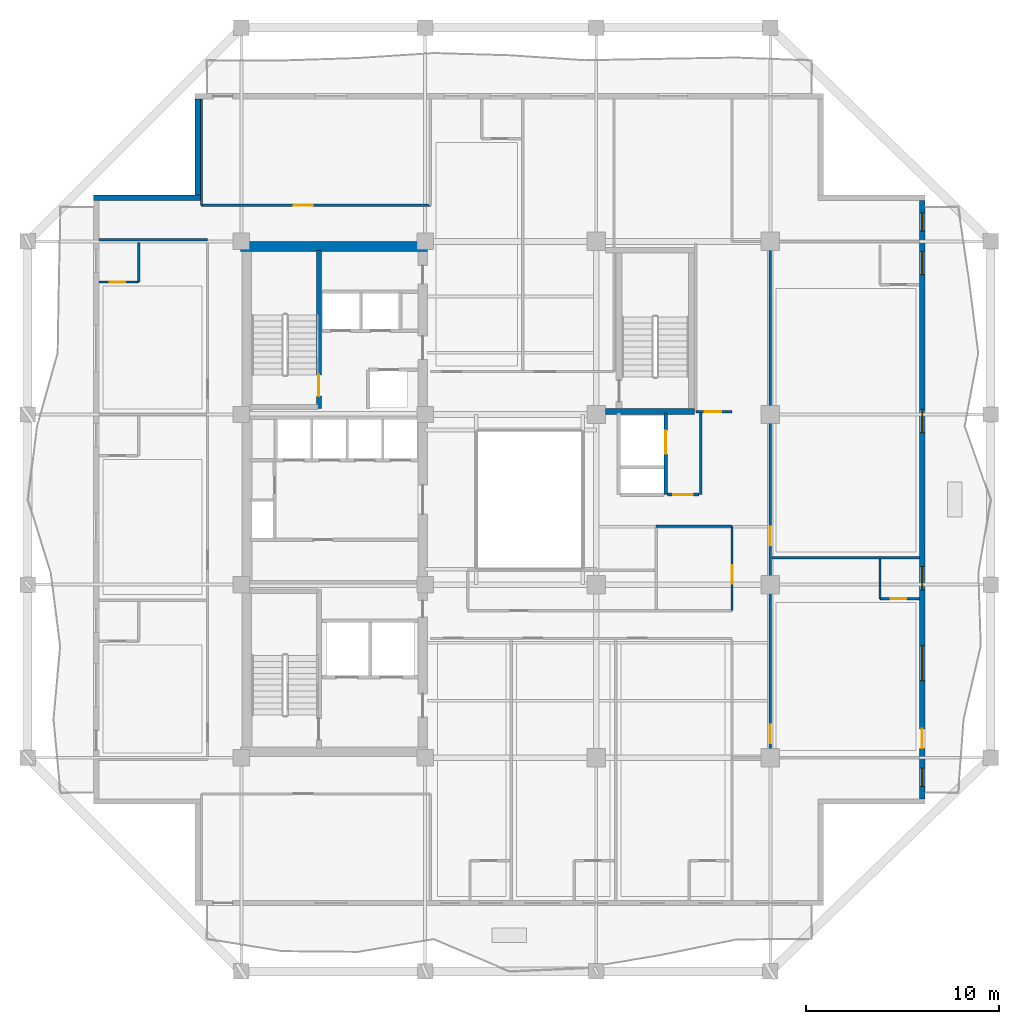
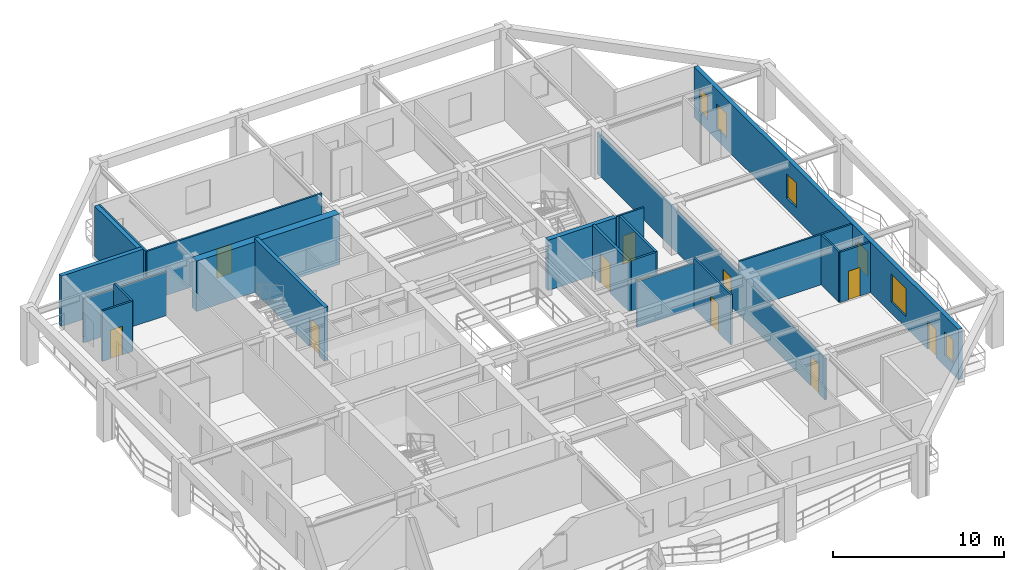
# One storey, part 5 of 12: 21 walls, 11 doors, 6 windows, 17 openings.
"""IFC4 building model written with IfcOpenShell, lengths in metres."""

from ifc_helpers import new_model, si_unit, direction, frame, frame_2d, origin, place, context, subcontext, project, spatial, rectangle, extrude, material, layer, layer_set, type_object, element, fill, save


model = new_model("IFC4")

# Units and contexts
model_context = context("Model", 3, precision=1e-05, world=origin(), true_north=direction((0.0, 1.0)))
body_context = subcontext(model_context, "Body", "Model", "MODEL_VIEW")
ifc_project = project(units=[si_unit("LENGTHUNIT", "METRE"), si_unit("AREAUNIT", "SQUARE_METRE"), si_unit("VOLUMEUNIT", "CUBIC_METRE"), si_unit("PLANEANGLEUNIT", "RADIAN"), si_unit("MASSUNIT", "GRAM", prefix="KILO")], contexts=[model_context])

# Site, building, storey
site_placement = place(None, origin())
site = spatial("IfcSite", under=ifc_project, at=site_placement, CompositionType="ELEMENT")
building_placement = place(site_placement, origin())
building = spatial("IfcBuilding", under=site, at=building_placement, Name="Kundavana Baori Tower", CompositionType="ELEMENT")
storey_placement = place(building_placement, frame((0.0, 0.0, 173.300048828125)))
storey = spatial("IfcBuildingStorey", under=building, at=storey_placement, Name="L42", CompositionType="ELEMENT", Elevation=173.300048828125)

# Wall, opening, door
ifc_material_1 = material(Name="Concrete C50/60", Category="concrete")
ifc_layer_1 = layer(ifc_material_1, 0.39990234375, Name="WL-CORE-400")
ifc_layer_set_1 = layer_set([ifc_layer_1], Name="Concrete C50/60")
wall_type_1 = type_object("IfcWallType", Name="WL-CORE-400", PredefinedType="SHEAR", material=ifc_layer_set_1)
wall_1_placement = place(storey_placement, frame((19.4599609375, 33.300048828125, 0.0), z_axis=(0.0, 0.0, 1.0), x_axis=(0.0, 1.0, 0.0)))
wall_1 = element("IfcWall", 1, at=wall_1_placement, inside=storey, type_object=wall_type_1, Name="WL-L42-ST2-E", PredefinedType="SHEAR", context=body_context, shape_type="SweptSolid", body=[
    extrude(rectangle(XDim=8.179931640625, YDim=0.239990234375, at=frame_2d((4.08984375, 0.0))), origin(), (0.0, 0.0, 1.0), 3.849853515625),
])
opening_1_placement = place(wall_1_placement, frame((0.64990234375, 0.0, 0.0)))
opening_1 = element("IfcOpeningElement", 2, at=opening_1_placement, cuts=wall_1, Name="Opening FD-110", PredefinedType="OPENING", context=body_context, shape_type="SweptSolid", body=[
    extrude(rectangle(XDim=1.10009765625, YDim=2.10009765625, at=frame_2d((0.550048828125, 1.050048828125))), frame((0.0, 0.1298828125, 0.0), z_axis=(0.0, -1.0, 0.0), x_axis=(1.0, 0.0, 0.0)), (0.0, 0.0, 1.0), 0.260009765625),
])
ifc_material_2 = material(Name="Galvanised Steel Fire-Rated Door Leaf", Category="steel")
door_type_1 = type_object("IfcDoorType", Name="DR-FD120-1100", OperationType="NOTDEFINED", PredefinedType="DOOR", material=ifc_material_2)
door_1_placement = place(opening_1_placement, origin())
door_1 = element("IfcDoor", 3, at=door_1_placement, inside=storey, type_object=door_type_1, Name="DR-L42-ST2", OperationType="SINGLE_SWING_RIGHT", OverallHeight=2.10009765625, OverallWidth=1.10009765625, PredefinedType="DOOR", context=body_context, shape_type="SweptSolid", body=[
    extrude(rectangle(XDim=1.10009765625, YDim=2.10009765625, at=frame_2d((0.550048828125, 1.050048828125))), frame((0.0, 0.02490234375, 0.0), z_axis=(0.0, -1.0, 0.0), x_axis=(1.0, 0.0, 0.0)), (0.0, 0.0, 1.0), 0.050048828125),
])
fill(opening_1, door_1)

# Wall
ifc_material_3 = material(Name="Concrete C50/60", Category="concrete")
ifc_layer_2 = layer(ifc_material_3, 0.5, Name="WL-CORE-500")
ifc_layer_set_2 = layer_set([ifc_layer_2], Name="Concrete C50/60")
wall_type_2 = type_object("IfcWallType", Name="WL-CORE-500", PredefinedType="SHEAR", material=ifc_layer_set_2)
wall_2_placement = place(storey_placement, frame((15.39990234375, 41.68994140625, 0.0), z_axis=(0.0, 0.0, 1.0), x_axis=(1.0, 0.0, 0.0)))
element("IfcWall", 4, at=wall_2_placement, inside=storey, type_object=wall_type_2, Name="L42 Offset Core North Shear Wall", PredefinedType="SHEAR", context=body_context, shape_type="SweptSolid", body=[
    extrude(rectangle(XDim=9.68017578125, YDim=0.5, at=frame_2d((4.840087890625, 0.0))), origin(), (0.0, 0.0, 1.0), 3.599853515625),
])

# Wall, openings, door, windows
ifc_material_4 = material(Name="Red-Buff Dholpur Sandstone Cladding on Concrete C40/50", Category="masonry")
ifc_layer_3 = layer(ifc_material_4, 0.280029296875, Name="WL-EXT-SAND-280")
ifc_layer_set_3 = layer_set([ifc_layer_3], Name="Red-Buff Dholpur Sandstone Cladding on Concrete C40/50")
wall_type_3 = type_object("IfcWallType", Name="WL-EXT-SAND-280", PredefinedType="STANDARD", material=ifc_layer_set_3)
wall_3_placement = place(storey_placement, frame((50.659912109375, 13.1298828125, 0.0), z_axis=(0.0, 0.0, 1.0), x_axis=(0.0, 1.0, 0.0)))
wall_3 = element("IfcWall", 5, at=wall_3_placement, inside=storey, type_object=wall_type_3, Name="L42 Exterior Insulated Facade Wall 04", PredefinedType="STANDARD", context=body_context, shape_type="SweptSolid", body=[
    extrude(rectangle(XDim=30.940185546875, YDim=0.280029296875, at=frame_2d((15.47021484375, 0.0))), origin(), (0.0, 0.0, 1.0), 3.599853515625),
])
opening_2_placement = place(wall_3_placement, frame((0.639892578125, 0.0, 0.800048828125)))
opening_2 = element("IfcOpeningElement", 6, at=opening_2_placement, cuts=wall_3, Name="Opening W-13", PredefinedType="OPENING", context=body_context, shape_type="SweptSolid", body=[
    extrude(rectangle(XDim=0.949951171875, YDim=1.64990234375, at=frame_2d((0.47509765625, 0.824951171875))), frame((0.0, 0.14990234375, 0.0), z_axis=(0.0, -1.0, 0.0), x_axis=(1.0, 0.0, 0.0)), (0.0, 0.0, 1.0), 0.300048828125),
])
opening_3_placement = place(wall_3_placement, frame((2.610107421875, 0.0, 0.0)))
opening_3 = element("IfcOpeningElement", 7, at=opening_3_placement, cuts=wall_3, Name="Opening BD-1", PredefinedType="OPENING", context=body_context, shape_type="SweptSolid", body=[
    extrude(rectangle(XDim=1.0, YDim=2.050048828125, at=frame_2d((0.5, 1.02490234375))), frame((0.0, 0.14990234375, 0.0), z_axis=(0.0, -1.0, 0.0), x_axis=(1.0, 0.0, 0.0)), (0.0, 0.0, 1.0), 0.300048828125),
])
opening_4_placement = place(wall_3_placement, frame((6.10498046875, 0.0, 0.800048828125)))
opening_4 = element("IfcOpeningElement", 8, at=opening_4_placement, cuts=wall_3, Name="Opening W-01", PredefinedType="OPENING", context=body_context, shape_type="SweptSolid", body=[
    extrude(rectangle(XDim=1.800048828125, YDim=2.0, at=frame_2d((0.89990234375, 1.0))), frame((0.0, 0.14990234375, 0.0), z_axis=(0.0, -1.0, 0.0), x_axis=(1.0, 0.0, 0.0)), (0.0, 0.0, 1.0), 0.300048828125),
])
opening_5_placement = place(wall_3_placement, frame((10.804931640625, 0.0, 0.800048828125)))
opening_5 = element("IfcOpeningElement", 9, at=opening_5_placement, cuts=wall_3, Name="Opening W-03", PredefinedType="OPENING", context=body_context, shape_type="SweptSolid", body=[
    extrude(rectangle(XDim=1.199951171875, YDim=1.75, at=frame_2d((0.60009765625, 0.875))), frame((0.0, 0.14990234375, 0.0), z_axis=(0.0, -1.0, 0.0), x_axis=(1.0, 0.0, 0.0)), (0.0, 0.0, 1.0), 0.300048828125),
])
opening_6_placement = place(wall_3_placement, frame((18.929931640625, 0.0, 0.800048828125)))
opening_6 = element("IfcOpeningElement", 10, at=opening_6_placement, cuts=wall_3, Name="Opening W-03", PredefinedType="OPENING", context=body_context, shape_type="SweptSolid", body=[
    extrude(rectangle(XDim=1.199951171875, YDim=1.75, at=frame_2d((0.60009765625, 0.875))), frame((0.0, 0.14990234375, 0.0), z_axis=(0.0, -1.0, 0.0), x_axis=(1.0, 0.0, 0.0)), (0.0, 0.0, 1.0), 0.300048828125),
])
opening_7_placement = place(wall_3_placement, frame((27.10498046875, 0.0, 0.800048828125)))
opening_7 = element("IfcOpeningElement", 11, at=opening_7_placement, cuts=wall_3, Name="Opening W-03", PredefinedType="OPENING", context=body_context, shape_type="SweptSolid", body=[
    extrude(rectangle(XDim=1.199951171875, YDim=1.75, at=frame_2d((0.60009765625, 0.875))), frame((0.0, 0.14990234375, 0.0), z_axis=(0.0, -1.0, 0.0), x_axis=(1.0, 0.0, 0.0)), (0.0, 0.0, 1.0), 0.300048828125),
])
opening_8_placement = place(wall_3_placement, frame((29.35009765625, 0.0, 0.800048828125)))
opening_8 = element("IfcOpeningElement", 12, at=opening_8_placement, cuts=wall_3, Name="Opening W-13", PredefinedType="OPENING", context=body_context, shape_type="SweptSolid", body=[
    extrude(rectangle(XDim=0.949951171875, YDim=1.64990234375, at=frame_2d((0.47509765625, 0.824951171875))), frame((0.0, 0.14990234375, 0.0), z_axis=(0.0, -1.0, 0.0), x_axis=(1.0, 0.0, 0.0)), (0.0, 0.0, 1.0), 0.300048828125),
])
ifc_material_5 = material(Name="Architectural Patinated Bronze Metalwork")
door_type_2 = type_object("IfcDoorType", Name="DR-EXT-LOG-1000", OperationType="NOTDEFINED", PredefinedType="DOOR", material=ifc_material_5)
door_2_placement = place(opening_3_placement, frame((1.0, 0.0, 0.0), z_axis=(0.0, 0.0, 1.0), x_axis=(-1.0, 0.0, 0.0)))
door_2 = element("IfcDoor", 13, at=door_2_placement, inside=storey, type_object=door_type_2, Name="L42 Loggia Balcony Access Door E", OperationType="SINGLE_SWING_LEFT", OverallHeight=2.050048828125, OverallWidth=1.0, PredefinedType="DOOR", context=body_context, shape_type="SweptSolid", body=[
    extrude(rectangle(XDim=1.0, YDim=2.050048828125, at=frame_2d((0.5, 1.02490234375))), frame((0.0, 0.02490234375, 0.0), z_axis=(0.0, -1.0, 0.0), x_axis=(1.0, 0.0, 0.0)), (0.0, 0.0, 1.0), 0.050048828125),
])
fill(opening_3, door_2)
ifc_material_6 = material(Name="Double-Glazed Solar-Control Low-E Insulated Glass", Category="glass")
window_type_1 = type_object("IfcWindowType", Name="WIN-LOG-1200x1750", PartitioningType="SINGLE_PANEL", PredefinedType="WINDOW", material=ifc_material_6)
window_1_placement = place(opening_5_placement, origin())
window_1 = element("IfcWindow", 14, at=window_1_placement, inside=storey, type_object=window_type_1, Name="L42 Recessed Loggia Window E-3", OverallHeight=1.75, OverallWidth=1.199951171875, PartitioningType="SINGLE_PANEL", PredefinedType="WINDOW", context=body_context, shape_type="SweptSolid", body=[
    extrude(rectangle(XDim=1.199951171875, YDim=1.75, at=frame_2d((0.60009765625, 0.875))), frame((0.0, 0.030029296875, 0.0), z_axis=(0.0, -1.0, 0.0), x_axis=(1.0, 0.0, 0.0)), (0.0, 0.0, 1.0), 0.06005859375),
])
fill(opening_5, window_1)
window_2_placement = place(opening_6_placement, origin())
window_2 = element("IfcWindow", 15, at=window_2_placement, inside=storey, type_object=window_type_1, Name="L42 Recessed Loggia Window E-4", OverallHeight=1.75, OverallWidth=1.199951171875, PartitioningType="SINGLE_PANEL", PredefinedType="WINDOW", context=body_context, shape_type="SweptSolid", body=[
    extrude(rectangle(XDim=1.199951171875, YDim=1.75, at=frame_2d((0.60009765625, 0.875))), frame((0.0, 0.030029296875, 0.0), z_axis=(0.0, -1.0, 0.0), x_axis=(1.0, 0.0, 0.0)), (0.0, 0.0, 1.0), 0.06005859375),
])
fill(opening_6, window_2)
window_3_placement = place(opening_7_placement, origin())
window_3 = element("IfcWindow", 16, at=window_3_placement, inside=storey, type_object=window_type_1, Name="L42 Recessed Loggia Window E-5", OverallHeight=1.75, OverallWidth=1.199951171875, PartitioningType="SINGLE_PANEL", PredefinedType="WINDOW", context=body_context, shape_type="SweptSolid", body=[
    extrude(rectangle(XDim=1.199951171875, YDim=1.75, at=frame_2d((0.60009765625, 0.875))), frame((0.0, 0.030029296875, 0.0), z_axis=(0.0, -1.0, 0.0), x_axis=(1.0, 0.0, 0.0)), (0.0, 0.0, 1.0), 0.06005859375),
])
fill(opening_7, window_3)
ifc_material_7 = material(Name="Double-Glazed Solar-Control Low-E Insulated Glass", Category="glass")
window_type_2 = type_object("IfcWindowType", Name="WIN-LOG-1800x2000", PartitioningType="SINGLE_PANEL", PredefinedType="WINDOW", material=ifc_material_7)
window_4_placement = place(opening_4_placement, origin())
window_4 = element("IfcWindow", 17, at=window_4_placement, inside=storey, type_object=window_type_2, Name="L42 Recessed Loggia Window E-2", OverallHeight=2.0, OverallWidth=1.800048828125, PartitioningType="SINGLE_PANEL", PredefinedType="WINDOW", context=body_context, shape_type="SweptSolid", body=[
    extrude(rectangle(XDim=1.800048828125, YDim=2.0, at=frame_2d((0.89990234375, 1.0))), frame((0.0, 0.030029296875, 0.0), z_axis=(0.0, -1.0, 0.0), x_axis=(1.0, 0.0, 0.0)), (0.0, 0.0, 1.0), 0.06005859375),
])
fill(opening_4, window_4)
ifc_material_8 = material(Name="Double-Glazed Solar-Control Low-E Insulated Glass", Category="glass")
window_type_3 = type_object("IfcWindowType", Name="WIN-LOG-950x1650", PartitioningType="SINGLE_PANEL", PredefinedType="WINDOW", material=ifc_material_8)
window_5_placement = place(opening_2_placement, origin())
window_5 = element("IfcWindow", 18, at=window_5_placement, inside=storey, type_object=window_type_3, Name="L42 Recessed Loggia Window E-1", OverallHeight=1.64990234375, OverallWidth=0.949951171875, PartitioningType="SINGLE_PANEL", PredefinedType="WINDOW", context=body_context, shape_type="SweptSolid", body=[
    extrude(rectangle(XDim=0.949951171875, YDim=1.64990234375, at=frame_2d((0.47509765625, 0.824951171875))), frame((0.0, 0.030029296875, 0.0), z_axis=(0.0, -1.0, 0.0), x_axis=(1.0, 0.0, 0.0)), (0.0, 0.0, 1.0), 0.06005859375),
])
fill(opening_2, window_5)
window_6_placement = place(opening_8_placement, origin())
window_6 = element("IfcWindow", 19, at=window_6_placement, inside=storey, type_object=window_type_3, Name="L42 Recessed Loggia Window E-6", OverallHeight=1.64990234375, OverallWidth=0.949951171875, PartitioningType="SINGLE_PANEL", PredefinedType="WINDOW", context=body_context, shape_type="SweptSolid", body=[
    extrude(rectangle(XDim=0.949951171875, YDim=1.64990234375, at=frame_2d((0.47509765625, 0.824951171875))), frame((0.0, 0.030029296875, 0.0), z_axis=(0.0, -1.0, 0.0), x_axis=(1.0, 0.0, 0.0)), (0.0, 0.0, 1.0), 0.06005859375),
])
fill(opening_8, window_6)

# Walls
wall_4_placement = place(storey_placement, frame((13.18994140625, 49.320068359375, 0.0), z_axis=(0.0, 0.0, 1.0), x_axis=(0.0, -1.0, 0.0)))
element("IfcWall", 20, at=wall_4_placement, inside=storey, type_object=wall_type_3, Name="L42 Exterior Insulated Facade Wall 08", PredefinedType="STANDARD", context=body_context, shape_type="SweptSolid", body=[
    extrude(rectangle(XDim=4.969970703125, YDim=0.280029296875, at=frame_2d((2.48486328125, 0.0))), origin(), (0.0, 0.0, 1.0), 3.599853515625),
])
wall_5_placement = place(storey_placement, frame((13.330078125, 44.2099609375, 0.0), z_axis=(0.0, 0.0, 1.0), x_axis=(-1.0, 0.0, 0.0)))
element("IfcWall", 21, at=wall_5_placement, inside=storey, type_object=wall_type_3, Name="L42 Exterior Insulated Facade Wall 09", PredefinedType="STANDARD", context=body_context, shape_type="SweptSolid", body=[
    extrude(rectangle(XDim=5.530029296875, YDim=0.280029296875, at=frame_2d((2.76513671875, 0.0))), origin(), (0.0, 0.0, 1.0), 3.599853515625),
])

# Wall, openings, doors
ifc_material_9 = material(Name="Acoustic Gypsum Plasterboard on Galvanised Steel Studs", Category="steel")
ifc_layer_4 = layer(ifc_material_9, 0.1201171875, Name="WL-PART-120")
ifc_layer_set_4 = layer_set([ifc_layer_4], Name="Acoustic Gypsum Plasterboard on Galvanised Steel Studs")
wall_type_4 = type_object("IfcWallType", Name="WL-PART-120", PredefinedType="PARTITIONING", material=ifc_layer_set_4)
wall_6_placement = place(storey_placement, frame((42.800048828125, 15.25, 0.0), z_axis=(0.0, 0.0, 1.0), x_axis=(0.0, 1.0, 0.0)))
wall_6 = element("IfcWall", 22, at=wall_6_placement, inside=storey, type_object=wall_type_4, Name="WL-L42-HE", PredefinedType="PARTITIONING", context=body_context, shape_type="SweptSolid", body=[
    extrude(rectangle(XDim=26.699951171875, YDim=0.1201171875, at=frame_2d((13.35009765625, 0.0))), origin(), (0.0, 0.0, 1.0), 2.949951171875),
])
opening_9_placement = place(wall_6_placement, frame((0.75, 0.0, 0.0)))
opening_9 = element("IfcOpeningElement", 23, at=opening_9_placement, cuts=wall_6, Name="Opening FD-095", PredefinedType="OPENING", context=body_context, shape_type="SweptSolid", body=[
    extrude(rectangle(XDim=0.949951171875, YDim=2.10009765625, at=frame_2d((0.47509765625, 1.050048828125))), frame((0.0, 0.070068359375, 0.0), z_axis=(0.0, -1.0, 0.0), x_axis=(1.0, 0.0, 0.0)), (0.0, 0.0, 1.0), 0.14013671875),
])
opening_10_placement = place(wall_6_placement, frame((11.0, 0.0, 0.0)))
opening_10 = element("IfcOpeningElement", 24, at=opening_10_placement, cuts=wall_6, Name="Opening FD-095", PredefinedType="OPENING", context=body_context, shape_type="SweptSolid", body=[
    extrude(rectangle(XDim=0.949951171875, YDim=2.10009765625, at=frame_2d((0.47509765625, 1.050048828125))), frame((0.0, 0.070068359375, 0.0), z_axis=(0.0, -1.0, 0.0), x_axis=(1.0, 0.0, 0.0)), (0.0, 0.0, 1.0), 0.14013671875),
])
ifc_material_10 = material(Name="Engineered Teak Fire-Rated Timber Door Leaf", Category="wood")
door_type_3 = type_object("IfcDoorType", Name="DR-FD60-950", OperationType="NOTDEFINED", PredefinedType="DOOR", material=ifc_material_10)
door_3_placement = place(opening_9_placement, origin())
door_3 = element("IfcDoor", 25, at=door_3_placement, inside=storey, type_object=door_type_3, Name="DR-L42-HK-E1-ENT", OperationType="SINGLE_SWING_LEFT", OverallHeight=2.10009765625, OverallWidth=0.949951171875, PredefinedType="DOOR", context=body_context, shape_type="SweptSolid", body=[
    extrude(rectangle(XDim=0.949951171875, YDim=2.10009765625, at=frame_2d((0.47509765625, 1.050048828125))), frame((0.0, 0.02490234375, 0.0), z_axis=(0.0, -1.0, 0.0), x_axis=(1.0, 0.0, 0.0)), (0.0, 0.0, 1.0), 0.050048828125),
])
fill(opening_9, door_3)
door_4_placement = place(opening_10_placement, origin())
door_4 = element("IfcDoor", 26, at=door_4_placement, inside=storey, type_object=door_type_3, Name="DR-L42-HK-E2-ENT", OperationType="SINGLE_SWING_LEFT", OverallHeight=2.10009765625, OverallWidth=0.949951171875, PredefinedType="DOOR", context=body_context, shape_type="SweptSolid", body=[
    extrude(rectangle(XDim=0.949951171875, YDim=2.10009765625, at=frame_2d((0.47509765625, 1.050048828125))), frame((0.0, 0.02490234375, 0.0), z_axis=(0.0, -1.0, 0.0), x_axis=(1.0, 0.0, 0.0)), (0.0, 0.0, 1.0), 0.050048828125),
])
fill(opening_10, door_4)

# Wall, opening, door
wall_7_placement = place(storey_placement, frame((40.820068359375, 22.860107421875, 0.0), z_axis=(0.0, 0.0, 1.0), x_axis=(0.0, 1.0, 0.0)))
wall_7 = element("IfcWall", 27, at=wall_7_placement, inside=storey, type_object=wall_type_4, Name="WL-L42-HEW", PredefinedType="PARTITIONING", context=body_context, shape_type="SweptSolid", body=[
    extrude(rectangle(XDim=4.35986328125, YDim=0.1201171875, at=frame_2d((2.179931640625, 0.0))), origin(), (0.0, 0.0, 1.0), 3.599853515625),
])
opening_11_placement = place(wall_7_placement, frame((1.39990234375, 0.0, 0.0)))
opening_11 = element("IfcOpeningElement", 28, at=opening_11_placement, cuts=wall_7, Name="Opening FD-095", PredefinedType="OPENING", context=body_context, shape_type="SweptSolid", body=[
    extrude(rectangle(XDim=0.949951171875, YDim=2.10009765625, at=frame_2d((0.47509765625, 1.050048828125))), frame((0.0, 0.070068359375, 0.0), z_axis=(0.0, -1.0, 0.0), x_axis=(1.0, 0.0, 0.0)), (0.0, 0.0, 1.0), 0.14013671875),
])
door_5_placement = place(opening_11_placement, frame((0.949951171875, 0.0, 0.0), z_axis=(0.0, 0.0, 1.0), x_axis=(-1.0, 0.0, 0.0)))
door_5 = element("IfcDoor", 29, at=door_5_placement, inside=storey, type_object=door_type_3, Name="DR-L42-HSK", OperationType="SINGLE_SWING_RIGHT", OverallHeight=2.10009765625, OverallWidth=0.949951171875, PredefinedType="DOOR", context=body_context, shape_type="SweptSolid", body=[
    extrude(rectangle(XDim=0.949951171875, YDim=2.10009765625, at=frame_2d((0.47509765625, 1.050048828125))), frame((0.0, 0.02490234375, 0.0), z_axis=(0.0, -1.0, 0.0), x_axis=(1.0, 0.0, 0.0)), (0.0, 0.0, 1.0), 0.050048828125),
])
fill(opening_11, door_5)

# Wall
wall_8_placement = place(storey_placement, frame((8.080078125, 42.0400390625, 0.0), z_axis=(0.0, 0.0, 1.0), x_axis=(1.0, 0.0, 0.0)))
element("IfcWall", 30, at=wall_8_placement, inside=storey, type_object=wall_type_4, Name="WL-L42-HWN", PredefinedType="PARTITIONING", context=body_context, shape_type="SweptSolid", body=[
    extrude(rectangle(XDim=5.619873046875, YDim=0.1201171875, at=frame_2d((2.81005859375, 0.0))), origin(), (0.0, 0.0, 1.0), 3.14990234375),
])

# Wall, opening, door
wall_9_placement = place(storey_placement, frame((13.389892578125, 43.820068359375, 0.0), z_axis=(0.0, 0.0, 1.0), x_axis=(1.0, 0.0, 0.0)))
wall_9 = element("IfcWall", 31, at=wall_9_placement, inside=storey, type_object=wall_type_4, Name="WL-L42-HNC", PredefinedType="PARTITIONING", context=body_context, shape_type="SweptSolid", body=[
    extrude(rectangle(XDim=11.830078125, YDim=0.1201171875, at=frame_2d((5.9150390625, 0.0))), origin(), (0.0, 0.0, 1.0), 3.599853515625),
])
opening_12_placement = place(wall_9_placement, frame((4.760009765625, 0.0, 0.0)))
opening_12 = element("IfcOpeningElement", 32, at=opening_12_placement, cuts=wall_9, Name="Opening ID-100", PredefinedType="OPENING", context=body_context, shape_type="SweptSolid", body=[
    extrude(rectangle(XDim=1.0, YDim=2.080078125, at=frame_2d((0.5, 1.0400390625))), frame((0.0, 0.070068359375, 0.0), z_axis=(0.0, -1.0, 0.0), x_axis=(1.0, 0.0, 0.0)), (0.0, 0.0, 1.0), 0.14013671875),
])
ifc_material_11 = material(Name="Engineered Teak Solid-Core Timber Veneer", Category="wood")
door_type_4 = type_object("IfcDoorType", Name="DR-INT-1000", OperationType="NOTDEFINED", PredefinedType="DOOR", material=ifc_material_11)
door_6_placement = place(opening_12_placement, origin())
door_6 = element("IfcDoor", 33, at=door_6_placement, inside=storey, type_object=door_type_4, Name="DR-L42-HMNW", OperationType="SINGLE_SWING_RIGHT", OverallHeight=2.080078125, OverallWidth=1.0, PredefinedType="DOOR", context=body_context, shape_type="SweptSolid", body=[
    extrude(rectangle(XDim=1.0, YDim=2.080078125, at=frame_2d((0.5, 1.0400390625))), frame((0.0, 0.02490234375, 0.0), z_axis=(0.0, -1.0, 0.0), x_axis=(1.0, 0.0, 0.0)), (0.0, 0.0, 1.0), 0.050048828125),
])
fill(opening_12, door_6)

# Walls
wall_10_placement = place(storey_placement, frame((13.389892578125, 43.820068359375, 0.0), z_axis=(0.0, 0.0, 1.0), x_axis=(0.0, 1.0, 0.0)))
element("IfcWall", 34, at=wall_10_placement, inside=storey, type_object=wall_type_4, Name="WL-L42-HNCW", PredefinedType="PARTITIONING", context=body_context, shape_type="SweptSolid", body=[
    extrude(rectangle(XDim=5.5, YDim=0.1201171875, at=frame_2d((2.75, 0.0))), origin(), (0.0, 0.0, 1.0), 3.599853515625),
])
wall_11_placement = place(storey_placement, frame((36.89990234375, 27.219970703125, 0.0), z_axis=(0.0, 0.0, 1.0), x_axis=(1.0, 0.0, 0.0)))
element("IfcWall", 35, at=wall_11_placement, inside=storey, type_object=wall_type_4, Name="WL-L42-HKN", PredefinedType="PARTITIONING", context=body_context, shape_type="SweptSolid", body=[
    extrude(rectangle(XDim=3.920166015625, YDim=0.1201171875, at=frame_2d((1.9599609375, 0.0))), origin(), (0.0, 0.0, 1.0), 3.25),
])
wall_12_placement = place(storey_placement, frame((42.8798828125, 25.60009765625, 0.0), z_axis=(0.0, 0.0, 1.0), x_axis=(1.0, 0.0, 0.0)))
element("IfcWall", 36, at=wall_12_placement, inside=storey, type_object=wall_type_4, Name="WL-L42-HED1", PredefinedType="PARTITIONING", context=body_context, shape_type="SweptSolid", body=[
    extrude(rectangle(XDim=7.64013671875, YDim=0.1201171875, at=frame_2d((3.820068359375, 0.0))), origin(), (0.0, 0.0, 1.0), 3.599853515625),
])

# Wall, opening, door
wall_13_placement = place(storey_placement, frame((38.949951171875, 33.14990234375, 0.0), z_axis=(0.0, 0.0, 1.0), x_axis=(1.0, 0.0, 0.0)))
wall_13 = element("IfcWall", 37, at=wall_13_placement, inside=storey, type_object=wall_type_4, Name="WL-L42-HNES", PredefinedType="PARTITIONING", context=body_context, shape_type="SweptSolid", body=[
    extrude(rectangle(XDim=1.8701171875, YDim=0.1201171875, at=frame_2d((0.93505859375, 0.0))), origin(), (0.0, 0.0, 1.0), 3.599853515625),
])
opening_13_placement = place(wall_13_placement, frame((0.449951171875, 0.0, 0.0)))
opening_13 = element("IfcOpeningElement", 38, at=opening_13_placement, cuts=wall_13, Name="Opening WD-085", PredefinedType="OPENING", context=body_context, shape_type="SweptSolid", body=[
    extrude(rectangle(XDim=0.85009765625, YDim=2.050048828125, at=frame_2d((0.425048828125, 1.02490234375))), frame((0.0, 0.070068359375, 0.0), z_axis=(0.0, -1.0, 0.0), x_axis=(1.0, 0.0, 0.0)), (0.0, 0.0, 1.0), 0.14013671875),
])
ifc_material_12 = material(Name="Engineered Teak Solid-Core Timber Veneer", Category="wood")
door_type_5 = type_object("IfcDoorType", Name="DR-WET-850", OperationType="NOTDEFINED", PredefinedType="DOOR", material=ifc_material_12)
door_7_placement = place(opening_13_placement, origin())
door_7 = element("IfcDoor", 39, at=door_7_placement, inside=storey, type_object=door_type_5, Name="DR-L42-HLNE", OperationType="SINGLE_SWING_LEFT", OverallHeight=2.050048828125, OverallWidth=0.85009765625, PredefinedType="DOOR", context=body_context, shape_type="SweptSolid", body=[
    extrude(rectangle(XDim=0.85009765625, YDim=2.050048828125, at=frame_2d((0.425048828125, 1.02490234375))), frame((0.0, 0.02490234375, 0.0), z_axis=(0.0, -1.0, 0.0), x_axis=(1.0, 0.0, 0.0)), (0.0, 0.0, 1.0), 0.050048828125),
])
fill(opening_13, door_7)

# Wall
ifc_material_13 = material(Name="Fire-Rated Gypsum Drywall on Galvanised Steel Studs", Category="steel")
ifc_layer_5 = layer(ifc_material_13, 0.14990234375, Name="WL-PART-150")
ifc_layer_set_5 = layer_set([ifc_layer_5], Name="Fire-Rated Gypsum Drywall on Galvanised Steel Studs")
wall_type_5 = type_object("IfcWallType", Name="WL-PART-150", PredefinedType="PARTITIONING", material=ifc_layer_set_5)
wall_14_placement = place(storey_placement, frame((39.199951171875, 28.860107421875, 0.0), z_axis=(0.0, 0.0, 1.0), x_axis=(0.0, 1.0, 0.0)))
element("IfcWall", 40, at=wall_14_placement, inside=storey, type_object=wall_type_5, Name="WL-L42-SVLOB-E", PredefinedType="PARTITIONING", context=body_context, shape_type="SweptSolid", body=[
    extrude(rectangle(XDim=4.219970703125, YDim=0.14990234375, at=frame_2d((2.10986328125, 0.0))), origin(), (0.0, 0.0, 1.0), 3.599853515625),
])

# Wall, opening, door
wall_15_placement = place(storey_placement, frame((37.47998046875, 28.860107421875, 0.0), z_axis=(0.0, 0.0, 1.0), x_axis=(1.0, 0.0, 0.0)))
wall_15 = element("IfcWall", 41, at=wall_15_placement, inside=storey, type_object=wall_type_5, Name="WL-L42-SVLOB-S", PredefinedType="PARTITIONING", context=body_context, shape_type="SweptSolid", body=[
    extrude(rectangle(XDim=1.64013671875, YDim=0.14990234375, at=frame_2d((0.820068359375, 0.0))), origin(), (0.0, 0.0, 1.0), 3.599853515625),
])
opening_14_placement = place(wall_15_placement, frame((0.300048828125, 0.0, 0.0)))
opening_14 = element("IfcOpeningElement", 42, at=opening_14_placement, cuts=wall_15, Name="Opening FD-100", PredefinedType="OPENING", context=body_context, shape_type="SweptSolid", body=[
    extrude(rectangle(XDim=1.0, YDim=2.10009765625, at=frame_2d((0.5, 1.050048828125))), frame((0.0, 0.0849609375, 0.0), z_axis=(0.0, -1.0, 0.0), x_axis=(1.0, 0.0, 0.0)), (0.0, 0.0, 1.0), 0.169921875),
])
ifc_material_14 = material(Name="Engineered Teak Fire-Rated Timber Door Leaf", Category="wood")
door_type_6 = type_object("IfcDoorType", Name="DR-FD60-1000", OperationType="NOTDEFINED", PredefinedType="DOOR", material=ifc_material_14)
door_8_placement = place(opening_14_placement, origin())
door_8 = element("IfcDoor", 43, at=door_8_placement, inside=storey, type_object=door_type_6, Name="DR-L42-SVLOB-OUT", OperationType="SINGLE_SWING_LEFT", OverallHeight=2.10009765625, OverallWidth=1.0, PredefinedType="DOOR", context=body_context, shape_type="SweptSolid", body=[
    extrude(rectangle(XDim=1.0, YDim=2.10009765625, at=frame_2d((0.5, 1.050048828125))), frame((0.0, 0.02490234375, 0.0), z_axis=(0.0, -1.0, 0.0), x_axis=(1.0, 0.0, 0.0)), (0.0, 0.0, 1.0), 0.050048828125),
])
fill(opening_14, door_8)

ifc_material_15 = material(Name="Autoclaved Aerated Concrete Blockwork Masonry", Category="masonry")
ifc_layer_6 = layer(ifc_material_15, 0.179931640625, Name="WL-SHAFT-180")
ifc_layer_set_6 = layer_set([ifc_layer_6], Name="Autoclaved Aerated Concrete Blockwork Masonry")
wall_type_6 = type_object("IfcWallType", Name="WL-SHAFT-180", PredefinedType="SOLIDWALL", material=ifc_layer_set_6)
wall_16_placement = place(storey_placement, frame((37.389892578125, 28.860107421875, 0.0), z_axis=(0.0, 0.0, 1.0), x_axis=(0.0, 1.0, 0.0)))
wall_16 = element("IfcWall", 44, at=wall_16_placement, inside=storey, type_object=wall_type_6, Name="WL-L42-SVL-E", PredefinedType="SOLIDWALL", context=body_context, shape_type="SweptSolid", body=[
    extrude(rectangle(XDim=4.219970703125, YDim=0.179931640625, at=frame_2d((2.10986328125, 0.0))), origin(), (0.0, 0.0, 1.0), 3.599853515625),
])
opening_15_placement = place(wall_16_placement, frame((2.10009765625, 0.0, 0.0)))
opening_15 = element("IfcOpeningElement", 45, at=opening_15_placement, cuts=wall_16, Name="Opening LD-120", PredefinedType="OPENING", context=body_context, shape_type="SweptSolid", body=[
    extrude(rectangle(XDim=1.199951171875, YDim=2.1201171875, at=frame_2d((0.60009765625, 1.06005859375))), frame((0.0, 0.10009765625, 0.0), z_axis=(0.0, -1.0, 0.0), x_axis=(1.0, 0.0, 0.0)), (0.0, 0.0, 1.0), 0.199951171875),
])
ifc_material_16 = material(Name="Galvanised Steel Fire-Rated Door Leaf", Category="steel")
door_type_7 = type_object("IfcDoorType", Name="DR-SLIDE-LD1200", OperationType="NOTDEFINED", PredefinedType="DOOR", material=ifc_material_16)
door_9_placement = place(opening_15_placement, frame((1.199951171875, 0.0, 0.0), z_axis=(0.0, 0.0, 1.0), x_axis=(-1.0, 0.0, 0.0)))
door_9 = element("IfcDoor", 46, at=door_9_placement, inside=storey, type_object=door_type_7, Name="DR-L42-LD-SVL1", OperationType="DOUBLE_DOOR_SLIDING", OverallHeight=2.1201171875, OverallWidth=1.199951171875, PredefinedType="DOOR", context=body_context, shape_type="SweptSolid", body=[
    extrude(rectangle(XDim=1.199951171875, YDim=2.1201171875, at=frame_2d((0.60009765625, 1.06005859375))), frame((0.0, 0.02490234375, 0.0), z_axis=(0.0, -1.0, 0.0), x_axis=(1.0, 0.0, 0.0)), (0.0, 0.0, 1.0), 0.050048828125),
])
fill(opening_15, door_9)

# Walls
ifc_material_17 = material(Name="Concrete C50/60", Category="concrete")
ifc_layer_7 = layer(ifc_material_17, 0.300048828125, Name="WL-ST3-300")
ifc_layer_set_7 = layer_set([ifc_layer_7], Name="Concrete C50/60")
wall_type_7 = type_object("IfcWallType", Name="WL-ST3-300", PredefinedType="SHEAR", material=ifc_layer_set_7)
wall_17_placement = place(storey_placement, frame((34.27490234375, 33.159912109375, 0.0), z_axis=(0.0, 0.0, 1.0), x_axis=(1.0, 0.0, 0.0)))
element("IfcWall", 47, at=wall_17_placement, inside=storey, type_object=wall_type_7, Name="L42 Stair ST3 South Shear Wall", PredefinedType="SHEAR", context=body_context, shape_type="SweptSolid", body=[
    extrude(rectangle(XDim=4.59521484375, YDim=0.300048828125, at=frame_2d((2.297607421875, 0.0))), origin(), (0.0, 0.0, 1.0), 3.599853515625),
])
ifc_material_18 = material(Name="Autoclaved Aerated Concrete Blockwork Masonry", Category="masonry")
ifc_layer_8 = layer(ifc_material_18, 0.125, Name="WL-WET-120")
ifc_layer_set_8 = layer_set([ifc_layer_8], Name="Autoclaved Aerated Concrete Blockwork Masonry")
wall_type_8 = type_object("IfcWallType", Name="WL-WET-120", PredefinedType="PLUMBINGWALL", material=ifc_layer_set_8)
wall_18_placement = place(storey_placement, frame((10.1298828125, 39.85009765625, 0.0), z_axis=(0.0, 0.0, 1.0), x_axis=(0.0, 1.0, 0.0)))
element("IfcWall", 48, at=wall_18_placement, inside=storey, type_object=wall_type_8, Name="WL-L42-HK-W3-BE", PredefinedType="PLUMBINGWALL", context=body_context, shape_type="SweptSolid", body=[
    extrude(rectangle(XDim=2.0498046875, YDim=0.125, at=frame_2d((1.02490234375, 0.0))), origin(), (0.0, 0.0, 1.0), 3.599853515625),
])

# Wall, opening, door
wall_19_placement = place(storey_placement, frame((8.080078125, 39.85009765625, 0.0), z_axis=(0.0, 0.0, 1.0), x_axis=(1.0, 0.0, 0.0)))
wall_19 = element("IfcWall", 49, at=wall_19_placement, inside=storey, type_object=wall_type_8, Name="WL-L42-HK-W3-BS", PredefinedType="PLUMBINGWALL", context=body_context, shape_type="SweptSolid", body=[
    extrude(rectangle(XDim=2.0498046875, YDim=0.125, at=frame_2d((1.02490234375, 0.0))), origin(), (0.0, 0.0, 1.0), 3.599853515625),
])
opening_16_placement = place(wall_19_placement, frame((0.550048828125, 0.0, 0.0)))
opening_16 = element("IfcOpeningElement", 50, at=opening_16_placement, cuts=wall_19, Name="Opening WD-080", PredefinedType="OPENING", context=body_context, shape_type="SweptSolid", body=[
    extrude(rectangle(XDim=0.800048828125, YDim=2.050048828125, at=frame_2d((0.39990234375, 1.02490234375))), frame((0.0, 0.072509765625, 0.0), z_axis=(0.0, -1.0, 0.0), x_axis=(1.0, 0.0, 0.0)), (0.0, 0.0, 1.0), 0.14501953125),
])
ifc_material_19 = material(Name="Engineered Teak Solid-Core Timber Veneer", Category="wood")
door_type_8 = type_object("IfcDoorType", Name="DR-WET-800", OperationType="NOTDEFINED", PredefinedType="DOOR", material=ifc_material_19)
door_10_placement = place(opening_16_placement, frame((0.800048828125, 0.0, 0.0), z_axis=(0.0, 0.0, 1.0), x_axis=(-1.0, 0.0, 0.0)))
door_10 = element("IfcDoor", 51, at=door_10_placement, inside=storey, type_object=door_type_8, Name="DR-L42-HK-W3-ENS", OperationType="SINGLE_SWING_LEFT", OverallHeight=2.050048828125, OverallWidth=0.800048828125, PredefinedType="DOOR", context=body_context, shape_type="SweptSolid", body=[
    extrude(rectangle(XDim=0.800048828125, YDim=2.050048828125, at=frame_2d((0.39990234375, 1.02490234375))), frame((0.0, 0.02490234375, 0.0), z_axis=(0.0, -1.0, 0.0), x_axis=(1.0, 0.0, 0.0)), (0.0, 0.0, 1.0), 0.050048828125),
])
fill(opening_16, door_10)

# Wall
wall_20_placement = place(storey_placement, frame((48.469970703125, 23.469970703125, 0.0), z_axis=(0.0, 0.0, 1.0), x_axis=(0.0, 1.0, 0.0)))
element("IfcWall", 52, at=wall_20_placement, inside=storey, type_object=wall_type_8, Name="WL-L42-HK-E1-BW", PredefinedType="PLUMBINGWALL", context=body_context, shape_type="SweptSolid", body=[
    extrude(rectangle(XDim=2.050048828125, YDim=0.125, at=frame_2d((1.02490234375, 0.0))), origin(), (0.0, 0.0, 1.0), 3.599853515625),
])

# Wall, opening, door
wall_21_placement = place(storey_placement, frame((48.469970703125, 23.469970703125, 0.0), z_axis=(0.0, 0.0, 1.0), x_axis=(1.0, 0.0, 0.0)))
wall_21 = element("IfcWall", 53, at=wall_21_placement, inside=storey, type_object=wall_type_8, Name="WL-L42-HK-E1-BS", PredefinedType="PLUMBINGWALL", context=body_context, shape_type="SweptSolid", body=[
    extrude(rectangle(XDim=2.050048828125, YDim=0.125, at=frame_2d((1.02490234375, 0.0))), origin(), (0.0, 0.0, 1.0), 3.599853515625),
])
opening_17_placement = place(wall_21_placement, frame((0.550048828125, 0.0, 0.0)))
opening_17 = element("IfcOpeningElement", 54, at=opening_17_placement, cuts=wall_21, Name="Opening WD-080", PredefinedType="OPENING", context=body_context, shape_type="SweptSolid", body=[
    extrude(rectangle(XDim=0.800048828125, YDim=2.050048828125, at=frame_2d((0.39990234375, 1.02490234375))), frame((0.0, 0.072509765625, 0.0), z_axis=(0.0, -1.0, 0.0), x_axis=(1.0, 0.0, 0.0)), (0.0, 0.0, 1.0), 0.14501953125),
])
door_11_placement = place(opening_17_placement, frame((0.800048828125, 0.0, 0.0), z_axis=(0.0, 0.0, 1.0), x_axis=(-1.0, 0.0, 0.0)))
door_11 = element("IfcDoor", 55, at=door_11_placement, inside=storey, type_object=door_type_8, Name="DR-L42-HK-E1-ENS", OperationType="SINGLE_SWING_LEFT", OverallHeight=2.050048828125, OverallWidth=0.800048828125, PredefinedType="DOOR", context=body_context, shape_type="SweptSolid", body=[
    extrude(rectangle(XDim=0.800048828125, YDim=2.050048828125, at=frame_2d((0.39990234375, 1.02490234375))), frame((0.0, 0.02490234375, 0.0), z_axis=(0.0, -1.0, 0.0), x_axis=(1.0, 0.0, 0.0)), (0.0, 0.0, 1.0), 0.050048828125),
])
fill(opening_17, door_11)

save(model, "model.ifc")
